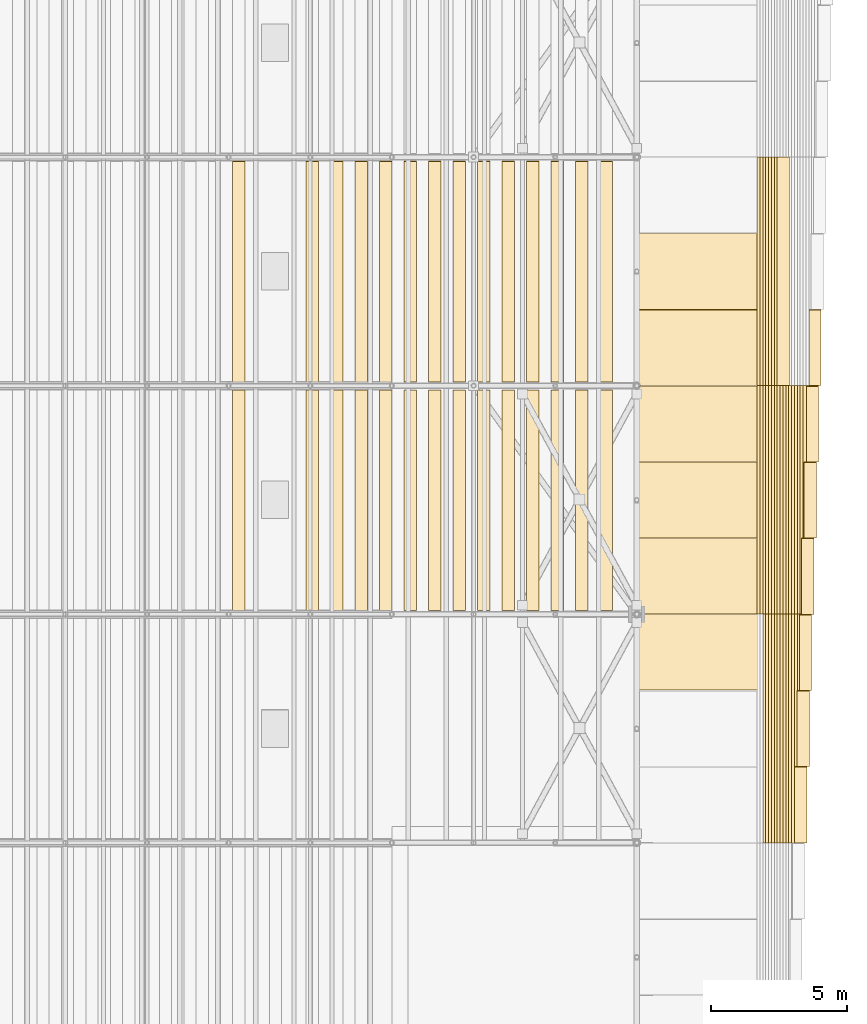
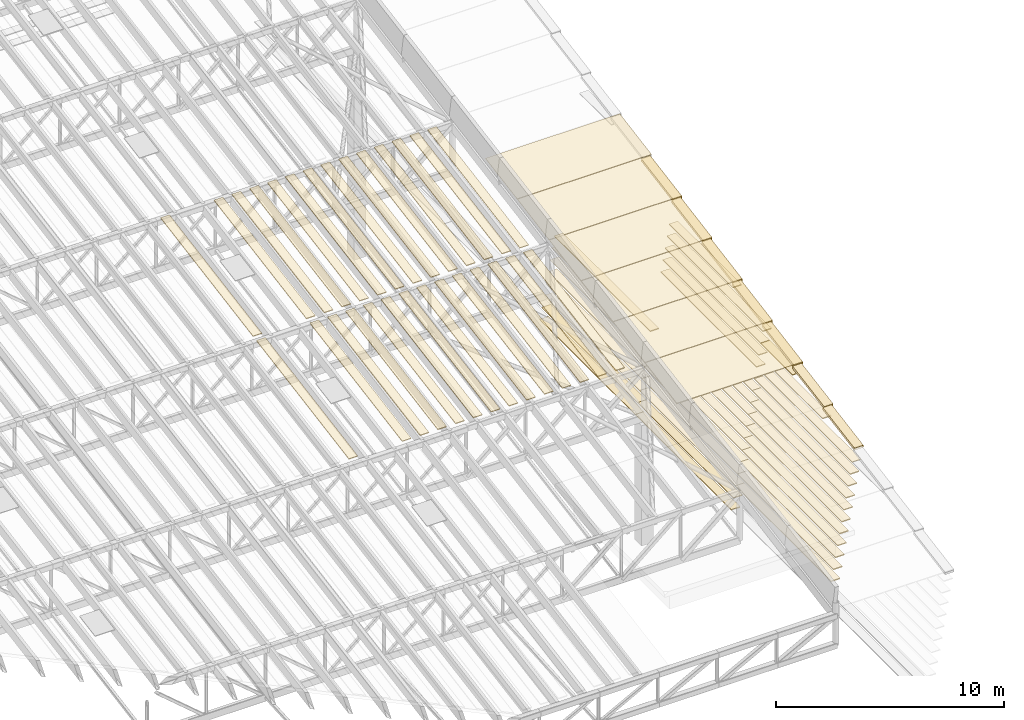
# One storey, part 88 of 91: 79 coverings.
"""IFC4 building model written with IfcOpenShell, lengths in metres."""

from ifc_helpers import new_model, si_unit, direction, frame, origin, origin_2d, place, context, subcontext, project, spatial, polyline, rectangle, outline, extrude, material, layer, layer_set, material_profile, profile_set, type_object, element, save


model = new_model("IFC4")

# Units and contexts
model_context = context("Model", 3, precision=1e-05, world=origin(), true_north=direction((0.0, 1.0)))
body_context = subcontext(model_context, "Body", "Model", "MODEL_VIEW")
ifc_project = project(units=[si_unit("LENGTHUNIT", "METRE"), si_unit("AREAUNIT", "SQUARE_METRE"), si_unit("VOLUMEUNIT", "CUBIC_METRE"), si_unit("PLANEANGLEUNIT", "RADIAN"), si_unit("MASSUNIT", "GRAM", prefix="KILO")], contexts=[model_context])

# Site, building, storey
site_placement = place(None, origin())
site = spatial("IfcSite", under=ifc_project, at=site_placement, CompositionType="ELEMENT")
building_placement = place(site_placement, origin())
building = spatial("IfcBuilding", under=site, at=building_placement, Name="Almond Square Museum", CompositionType="ELEMENT")
storey_placement = place(building_placement, frame((0.0, 0.0, 30.0)))
storey = spatial("IfcBuildingStorey", under=building, at=storey_placement, Name="L05", CompositionType="ELEMENT", Elevation=30.0)

# Coverings
ifc_material_1 = material(Name="Cedar timber roof board", Category="wood")
ifc_layer_1 = layer(ifc_material_1, 0.0400390625)
ifc_layer_set_1 = layer_set([ifc_layer_1], Name="Cedar timber roof board")
covering_type_1 = type_object("IfcCoveringType", Name="Hall roof board 450 x 40", PredefinedType="CLADDING", material=ifc_layer_set_1)
covering_1_placement = place(storey_placement, frame((134.39990234375, 75.449951171875, 10.8837890625), z_axis=(0.0, -0.17238105195, 0.985030341121), x_axis=(-1.0, 0.0, 0.0)))
element("IfcCovering", 1, at=covering_1_placement, inside=storey, type_object=covering_type_1, Name="Hall roof board", PredefinedType="CLADDING", context=body_context, shape_type="SweptSolid", body=[
    extrude(outline(polyline([(0.0, 0.0), (0.449951171875, 0.0), (0.449951171875, 8.22294824584652), (0.0, 8.22294824584652), (0.0, 0.0)])), origin(), (0.0, 0.0, 1.0), 0.0400390625),
])
covering_2_placement = place(storey_placement, frame((137.10009765625, 75.449951171875, 10.8837890625), z_axis=(0.0, -0.17238105195, 0.985030341121), x_axis=(-1.0, 0.0, 0.0)))
element("IfcCovering", 2, at=covering_2_placement, inside=storey, type_object=covering_type_1, Name="Hall roof board", PredefinedType="CLADDING", context=body_context, shape_type="SweptSolid", body=[
    extrude(outline(polyline([(0.0, 0.0), (0.4501953125, 0.0), (0.4501953125, 8.222948245846522), (0.0, 8.222948245846522), (0.0, 0.0)])), origin(), (0.0, 0.0, 1.0), 0.0400390625),
])
for number, where, z_axis, x_axis, name in (
    (3, (138.0, 75.449951171875, 10.8837890625), (0.0, -0.17238105195, 0.985030341121), (-1.0, 0.0, 0.0), "Hall roof board"),
    (4, (138.89990234375, 75.449951171875, 10.8837890625), (0.0, -0.17238105195, 0.985030341121), (-1.0, 0.0, 0.0), "Hall roof board"),
    (5, (139.800048828125, 75.449951171875, 10.8837890625), (0.0, -0.17238105195, 0.985030341121), (-1.0, 0.0, 0.0), "Hall roof board"),
    (6, (140.699951171875, 75.449951171875, 10.8837890625), (0.0, -0.17238105195, 0.985030341121), (-1.0, 0.0, 0.0), "Hall roof board"),
):
    element("IfcCovering", number, at=place(storey_placement, frame(where, z_axis=z_axis, x_axis=x_axis)), inside=storey, type_object=covering_type_1, Name=name, PredefinedType="CLADDING", context=body_context, shape_type="SweptSolid", body=[
        extrude(outline(polyline([(0.0, 0.0), (0.449951171875, 0.0), (0.449951171875, 8.22294824584652), (0.0, 8.22294824584652), (0.0, 0.0)])), origin(), (0.0, 0.0, 1.0), 0.0400390625),
    ])
covering_3_placement = place(storey_placement, frame((141.60009765625, 75.449951171875, 10.8837890625), z_axis=(0.0, -0.17238105195, 0.985030341121), x_axis=(-1.0, 0.0, 0.0)))
element("IfcCovering", 7, at=covering_3_placement, inside=storey, type_object=covering_type_1, Name="Hall roof board", PredefinedType="CLADDING", context=body_context, shape_type="SweptSolid", body=[
    extrude(outline(polyline([(0.0, 0.0), (0.4501953125, 0.0), (0.4501953125, 8.222948245846522), (0.0, 8.222948245846522), (0.0, 0.0)])), origin(), (0.0, 0.0, 1.0), 0.0400390625),
])
for number, where, z_axis, x_axis, name in (
    (8, (142.5, 75.449951171875, 10.8837890625), (0.0, -0.17238105195, 0.985030341121), (-1.0, 0.0, 0.0), "Hall roof board"),
    (9, (143.39990234375, 75.449951171875, 10.8837890625), (0.0, -0.17238105195, 0.985030341121), (-1.0, 0.0, 0.0), "Hall roof board"),
    (10, (144.300048828125, 75.449951171875, 10.8837890625), (0.0, -0.17238105195, 0.985030341121), (-1.0, 0.0, 0.0), "Hall roof board"),
    (11, (145.199951171875, 75.449951171875, 10.8837890625), (0.0, -0.17238105195, 0.985030341121), (-1.0, 0.0, 0.0), "Hall roof board"),
):
    element("IfcCovering", number, at=place(storey_placement, frame(where, z_axis=z_axis, x_axis=x_axis)), inside=storey, type_object=covering_type_1, Name=name, PredefinedType="CLADDING", context=body_context, shape_type="SweptSolid", body=[
        extrude(outline(polyline([(0.0, 0.0), (0.449951171875, 0.0), (0.449951171875, 8.22294824584652), (0.0, 8.22294824584652), (0.0, 0.0)])), origin(), (0.0, 0.0, 1.0), 0.0400390625),
    ])
covering_4_placement = place(storey_placement, frame((146.10009765625, 75.449951171875, 10.8837890625), z_axis=(0.0, -0.17238105195, 0.985030341121), x_axis=(-1.0, 0.0, 0.0)))
element("IfcCovering", 12, at=covering_4_placement, inside=storey, type_object=covering_type_1, Name="Hall roof board", PredefinedType="CLADDING", context=body_context, shape_type="SweptSolid", body=[
    extrude(outline(polyline([(0.0, 0.0), (0.4501953125, 0.0), (0.4501953125, 8.222948245846522), (0.0, 8.222948245846522), (0.0, 0.0)])), origin(), (0.0, 0.0, 1.0), 0.0400390625),
])
for number, where, z_axis, x_axis, name in (
    (13, (147.0, 75.449951171875, 10.8837890625), (0.0, -0.17238105195, 0.985030341121), (-1.0, 0.0, 0.0), "Hall roof board"),
    (14, (147.89990234375, 75.449951171875, 10.8837890625), (0.0, -0.17238105195, 0.985030341121), (-1.0, 0.0, 0.0), "Hall roof board"),
):
    element("IfcCovering", number, at=place(storey_placement, frame(where, z_axis=z_axis, x_axis=x_axis)), inside=storey, type_object=covering_type_1, Name=name, PredefinedType="CLADDING", context=body_context, shape_type="SweptSolid", body=[
        extrude(outline(polyline([(0.0, 0.0), (0.449951171875, 0.0), (0.449951171875, 8.22294824584652), (0.0, 8.22294824584652), (0.0, 0.0)])), origin(), (0.0, 0.0, 1.0), 0.0400390625),
    ])
covering_5_placement = place(storey_placement, frame((134.39990234375, 83.85009765625, 12.353759765625), z_axis=(0.0, -0.17237601069, 0.985031223332), x_axis=(-1.0, 0.0, 0.0)))
element("IfcCovering", 15, at=covering_5_placement, inside=storey, type_object=covering_type_1, Name="Hall roof board", PredefinedType="CLADDING", context=body_context, shape_type="SweptSolid", body=[
    extrude(outline(polyline([(0.0, 0.0), (0.449951171875, 0.0), (0.449951171875, 8.223188731877341), (0.0, 8.223188731877341), (0.0, 0.0)])), origin(), (0.0, 0.0, 1.0), 0.0400390625),
])
covering_6_placement = place(storey_placement, frame((137.10009765625, 83.85009765625, 12.353759765625), z_axis=(0.0, -0.17237601069, 0.985031223332), x_axis=(-1.0, 0.0, 0.0)))
element("IfcCovering", 16, at=covering_6_placement, inside=storey, type_object=covering_type_1, Name="Hall roof board", PredefinedType="CLADDING", context=body_context, shape_type="SweptSolid", body=[
    extrude(outline(polyline([(0.0, 0.0), (0.4501953125, 0.0), (0.4501953125, 8.223188731877341), (0.0, 8.223188731877341), (0.0, 0.0)])), origin(), (0.0, 0.0, 1.0), 0.0400390625),
])
for number, where, z_axis, x_axis, name in (
    (17, (138.0, 83.85009765625, 12.353759765625), (0.0, -0.17237601069, 0.985031223332), (-1.0, 0.0, 0.0), "Hall roof board"),
    (18, (138.89990234375, 83.85009765625, 12.353759765625), (0.0, -0.17237601069, 0.985031223332), (-1.0, 0.0, 0.0), "Hall roof board"),
    (19, (139.800048828125, 83.85009765625, 12.353759765625), (0.0, -0.17237601069, 0.985031223332), (-1.0, 0.0, 0.0), "Hall roof board"),
    (20, (140.699951171875, 83.85009765625, 12.353759765625), (0.0, -0.17237601069, 0.985031223332), (-1.0, 0.0, 0.0), "Hall roof board"),
):
    element("IfcCovering", number, at=place(storey_placement, frame(where, z_axis=z_axis, x_axis=x_axis)), inside=storey, type_object=covering_type_1, Name=name, PredefinedType="CLADDING", context=body_context, shape_type="SweptSolid", body=[
        extrude(outline(polyline([(0.0, 0.0), (0.449951171875, 0.0), (0.449951171875, 8.223188731877341), (0.0, 8.223188731877341), (0.0, 0.0)])), origin(), (0.0, 0.0, 1.0), 0.0400390625),
    ])
covering_7_placement = place(storey_placement, frame((141.60009765625, 83.85009765625, 12.353759765625), z_axis=(0.0, -0.17237601069, 0.985031223332), x_axis=(-1.0, 0.0, 0.0)))
element("IfcCovering", 21, at=covering_7_placement, inside=storey, type_object=covering_type_1, Name="Hall roof board", PredefinedType="CLADDING", context=body_context, shape_type="SweptSolid", body=[
    extrude(outline(polyline([(0.0, 0.0), (0.4501953125, 0.0), (0.4501953125, 8.223188731877341), (0.0, 8.223188731877341), (0.0, 0.0)])), origin(), (0.0, 0.0, 1.0), 0.0400390625),
])
for number, where, z_axis, x_axis, name in (
    (22, (142.5, 83.85009765625, 12.353759765625), (0.0, -0.17237601069, 0.985031223332), (-1.0, 0.0, 0.0), "Hall roof board"),
    (23, (143.39990234375, 83.85009765625, 12.353759765625), (0.0, -0.17237601069, 0.985031223332), (-1.0, 0.0, 0.0), "Hall roof board"),
    (24, (144.300048828125, 83.85009765625, 12.353759765625), (0.0, -0.17237601069, 0.985031223332), (-1.0, 0.0, 0.0), "Hall roof board"),
    (25, (145.199951171875, 83.85009765625, 12.353759765625), (0.0, -0.17237601069, 0.985031223332), (-1.0, 0.0, 0.0), "Hall roof board"),
):
    element("IfcCovering", number, at=place(storey_placement, frame(where, z_axis=z_axis, x_axis=x_axis)), inside=storey, type_object=covering_type_1, Name=name, PredefinedType="CLADDING", context=body_context, shape_type="SweptSolid", body=[
        extrude(outline(polyline([(0.0, 0.0), (0.449951171875, 0.0), (0.449951171875, 8.223188731877341), (0.0, 8.223188731877341), (0.0, 0.0)])), origin(), (0.0, 0.0, 1.0), 0.0400390625),
    ])
covering_8_placement = place(storey_placement, frame((146.10009765625, 83.85009765625, 12.353759765625), z_axis=(0.0, -0.17237601069, 0.985031223332), x_axis=(-1.0, 0.0, 0.0)))
element("IfcCovering", 26, at=covering_8_placement, inside=storey, type_object=covering_type_1, Name="Hall roof board", PredefinedType="CLADDING", context=body_context, shape_type="SweptSolid", body=[
    extrude(outline(polyline([(0.0, 0.0), (0.4501953125, 0.0), (0.4501953125, 8.223188731877341), (0.0, 8.223188731877341), (0.0, 0.0)])), origin(), (0.0, 0.0, 1.0), 0.0400390625),
])
for number, where, z_axis, x_axis, name in (
    (27, (147.0, 83.85009765625, 12.353759765625), (0.0, -0.17237601069, 0.985031223332), (-1.0, 0.0, 0.0), "Hall roof board"),
    (28, (147.89990234375, 83.85009765625, 12.353759765625), (0.0, -0.17237601069, 0.985031223332), (-1.0, 0.0, 0.0), "Hall roof board"),
):
    element("IfcCovering", number, at=place(storey_placement, frame(where, z_axis=z_axis, x_axis=x_axis)), inside=storey, type_object=covering_type_1, Name=name, PredefinedType="CLADDING", context=body_context, shape_type="SweptSolid", body=[
        extrude(outline(polyline([(0.0, 0.0), (0.449951171875, 0.0), (0.449951171875, 8.223188731877341), (0.0, 8.223188731877341), (0.0, 0.0)])), origin(), (0.0, 0.0, 1.0), 0.0400390625),
    ])
ifc_material_2 = material(Name="Cedar timber louvre board", Category="wood")
ifc_material_profile_1 = material_profile(ifc_material_2, rectangle(XDim=0.449951171875, YDim=0.050048828125, at=origin_2d()))
ifc_profile_set_1 = profile_set([ifc_material_profile_1], Name="Cedar timber louvre board")
covering_type_2 = type_object("IfcCoveringType", Name="Louvre board 450 x 50", PredefinedType="CLADDING", material=ifc_profile_set_1)
covering_9_placement = place(storey_placement, frame((153.444091796875, 67.199951171875, 0.10009765625), z_axis=(0.0, 1.0, 0.0), x_axis=(-1.0, 0.0, 0.0)))
element("IfcCovering", 29, at=covering_9_placement, inside=storey, type_object=covering_type_2, Name="Louvre board E13.03", PredefinedType="CLADDING", context=body_context, shape_type="SweptSolid", body=[
    extrude(rectangle(XDim=0.449951171875, YDim=0.050048828125, at=origin_2d()), origin(), (0.0, 0.0, 1.0), 8.400146484375),
])
covering_10_placement = place(storey_placement, frame((153.444091796875, 75.60009765625, 0.10009765625), z_axis=(0.0, 1.0, 0.0), x_axis=(-1.0, 0.0, 0.0)))
element("IfcCovering", 30, at=covering_10_placement, inside=storey, type_object=covering_type_2, Name="Louvre board E13.04", PredefinedType="CLADDING", context=body_context, shape_type="SweptSolid", body=[
    extrude(rectangle(XDim=0.449951171875, YDim=0.050048828125, at=origin_2d()), origin(), (0.0, 0.0, 1.0), 8.39990234375),
])
covering_11_placement = place(storey_placement, frame((153.5498046875, 67.199951171875, 0.699951171875), z_axis=(0.0, 1.0, 0.0), x_axis=(-1.0, 0.0, 0.0)))
element("IfcCovering", 31, at=covering_11_placement, inside=storey, type_object=covering_type_2, Name="Louvre board E14.03", PredefinedType="CLADDING", context=body_context, shape_type="SweptSolid", body=[
    extrude(rectangle(XDim=0.449951171875, YDim=0.050048828125, at=origin_2d()), origin(), (0.0, 0.0, 1.0), 8.400146484375),
])
for number, where, z_axis, x_axis, name in (
    (32, (153.5498046875, 75.60009765625, 0.699951171875), (0.0, 1.0, 0.0), (-1.0, 0.0, 0.0), "Louvre board E14.04"),
    (33, (153.65576171875, 58.800048828125, 1.300048828125), (0.0, 1.0, 0.0), (-1.0, 0.0, 0.0), "Louvre board E15.02"),
):
    element("IfcCovering", number, at=place(storey_placement, frame(where, z_axis=z_axis, x_axis=x_axis)), inside=storey, type_object=covering_type_2, Name=name, PredefinedType="CLADDING", context=body_context, shape_type="SweptSolid", body=[
        extrude(rectangle(XDim=0.449951171875, YDim=0.050048828125, at=origin_2d()), origin(), (0.0, 0.0, 1.0), 8.39990234375),
    ])
covering_12_placement = place(storey_placement, frame((153.65576171875, 67.199951171875, 1.300048828125), z_axis=(0.0, 1.0, 0.0), x_axis=(-1.0, 0.0, 0.0)))
element("IfcCovering", 34, at=covering_12_placement, inside=storey, type_object=covering_type_2, Name="Louvre board E15.03", PredefinedType="CLADDING", context=body_context, shape_type="SweptSolid", body=[
    extrude(rectangle(XDim=0.449951171875, YDim=0.050048828125, at=origin_2d()), origin(), (0.0, 0.0, 1.0), 8.400146484375),
])
for number, where, z_axis, x_axis, name in (
    (35, (153.65576171875, 75.60009765625, 1.300048828125), (0.0, 1.0, 0.0), (-1.0, 0.0, 0.0), "Louvre board E15.04"),
    (36, (153.761474609375, 58.800048828125, 1.89990234375), (0.0, 1.0, 0.0), (-1.0, 0.0, 0.0), "Louvre board E16.02"),
):
    element("IfcCovering", number, at=place(storey_placement, frame(where, z_axis=z_axis, x_axis=x_axis)), inside=storey, type_object=covering_type_2, Name=name, PredefinedType="CLADDING", context=body_context, shape_type="SweptSolid", body=[
        extrude(rectangle(XDim=0.449951171875, YDim=0.050048828125, at=origin_2d()), origin(), (0.0, 0.0, 1.0), 8.39990234375),
    ])
covering_13_placement = place(storey_placement, frame((153.761474609375, 67.199951171875, 1.89990234375), z_axis=(0.0, 1.0, 0.0), x_axis=(-1.0, 0.0, 0.0)))
element("IfcCovering", 37, at=covering_13_placement, inside=storey, type_object=covering_type_2, Name="Louvre board E16.03", PredefinedType="CLADDING", context=body_context, shape_type="SweptSolid", body=[
    extrude(rectangle(XDim=0.449951171875, YDim=0.050048828125, at=origin_2d()), origin(), (0.0, 0.0, 1.0), 8.400146484375),
])
for number, where, z_axis, x_axis, name in (
    (38, (153.761474609375, 75.60009765625, 1.89990234375), (0.0, 1.0, 0.0), (-1.0, 0.0, 0.0), "Louvre board E16.04"),
    (39, (153.8671875, 58.800048828125, 2.5), (0.0, 1.0, 0.0), (-1.0, 0.0, 0.0), "Louvre board E17.02"),
):
    element("IfcCovering", number, at=place(storey_placement, frame(where, z_axis=z_axis, x_axis=x_axis)), inside=storey, type_object=covering_type_2, Name=name, PredefinedType="CLADDING", context=body_context, shape_type="SweptSolid", body=[
        extrude(rectangle(XDim=0.449951171875, YDim=0.050048828125, at=origin_2d()), origin(), (0.0, 0.0, 1.0), 8.39990234375),
    ])
covering_14_placement = place(storey_placement, frame((153.8671875, 67.199951171875, 2.5), z_axis=(0.0, 1.0, 0.0), x_axis=(-1.0, 0.0, 0.0)))
element("IfcCovering", 40, at=covering_14_placement, inside=storey, type_object=covering_type_2, Name="Louvre board E17.03", PredefinedType="CLADDING", context=body_context, shape_type="SweptSolid", body=[
    extrude(rectangle(XDim=0.449951171875, YDim=0.050048828125, at=origin_2d()), origin(), (0.0, 0.0, 1.0), 8.400146484375),
])
for number, where, z_axis, x_axis, name in (
    (41, (153.8671875, 75.60009765625, 2.5), (0.0, 1.0, 0.0), (-1.0, 0.0, 0.0), "Louvre board E17.04"),
    (42, (153.97314453125, 58.800048828125, 3.10009765625), (0.0, 1.0, 0.0), (-1.0, 0.0, 0.0), "Louvre board E18.02"),
):
    element("IfcCovering", number, at=place(storey_placement, frame(where, z_axis=z_axis, x_axis=x_axis)), inside=storey, type_object=covering_type_2, Name=name, PredefinedType="CLADDING", context=body_context, shape_type="SweptSolid", body=[
        extrude(rectangle(XDim=0.449951171875, YDim=0.050048828125, at=origin_2d()), origin(), (0.0, 0.0, 1.0), 8.39990234375),
    ])
covering_15_placement = place(storey_placement, frame((153.97314453125, 67.199951171875, 3.10009765625), z_axis=(0.0, 1.0, 0.0), x_axis=(-1.0, 0.0, 0.0)))
element("IfcCovering", 43, at=covering_15_placement, inside=storey, type_object=covering_type_2, Name="Louvre board E18.03", PredefinedType="CLADDING", context=body_context, shape_type="SweptSolid", body=[
    extrude(rectangle(XDim=0.449951171875, YDim=0.050048828125, at=origin_2d()), origin(), (0.0, 0.0, 1.0), 8.400146484375),
])
for number, where, z_axis, x_axis, name in (
    (44, (153.97314453125, 75.60009765625, 3.10009765625), (0.0, 1.0, 0.0), (-1.0, 0.0, 0.0), "Louvre board E18.04"),
    (45, (154.078857421875, 58.800048828125, 3.699951171875), (0.0, 1.0, 0.0), (-1.0, 0.0, 0.0), "Louvre board E19.02"),
):
    element("IfcCovering", number, at=place(storey_placement, frame(where, z_axis=z_axis, x_axis=x_axis)), inside=storey, type_object=covering_type_2, Name=name, PredefinedType="CLADDING", context=body_context, shape_type="SweptSolid", body=[
        extrude(rectangle(XDim=0.449951171875, YDim=0.050048828125, at=origin_2d()), origin(), (0.0, 0.0, 1.0), 8.39990234375),
    ])
covering_16_placement = place(storey_placement, frame((154.078857421875, 67.199951171875, 3.699951171875), z_axis=(0.0, 1.0, 0.0), x_axis=(-1.0, 0.0, 0.0)))
element("IfcCovering", 46, at=covering_16_placement, inside=storey, type_object=covering_type_2, Name="Louvre board E19.03", PredefinedType="CLADDING", context=body_context, shape_type="SweptSolid", body=[
    extrude(rectangle(XDim=0.449951171875, YDim=0.050048828125, at=origin_2d()), origin(), (0.0, 0.0, 1.0), 8.400146484375),
])
for number, where, z_axis, x_axis, name in (
    (47, (154.078857421875, 75.60009765625, 3.699951171875), (0.0, 1.0, 0.0), (-1.0, 0.0, 0.0), "Louvre board E19.04"),
    (48, (154.1845703125, 58.800048828125, 4.300048828125), (0.0, 1.0, 0.0), (-1.0, 0.0, 0.0), "Louvre board E20.02"),
):
    element("IfcCovering", number, at=place(storey_placement, frame(where, z_axis=z_axis, x_axis=x_axis)), inside=storey, type_object=covering_type_2, Name=name, PredefinedType="CLADDING", context=body_context, shape_type="SweptSolid", body=[
        extrude(rectangle(XDim=0.449951171875, YDim=0.050048828125, at=origin_2d()), origin(), (0.0, 0.0, 1.0), 8.39990234375),
    ])
covering_17_placement = place(storey_placement, frame((154.1845703125, 67.199951171875, 4.300048828125), z_axis=(0.0, 1.0, 0.0), x_axis=(-1.0, 0.0, 0.0)))
element("IfcCovering", 49, at=covering_17_placement, inside=storey, type_object=covering_type_2, Name="Louvre board E20.03", PredefinedType="CLADDING", context=body_context, shape_type="SweptSolid", body=[
    extrude(rectangle(XDim=0.449951171875, YDim=0.050048828125, at=origin_2d()), origin(), (0.0, 0.0, 1.0), 8.400146484375),
])
for number, where, z_axis, x_axis, name in (
    (50, (154.1845703125, 75.60009765625, 4.300048828125), (0.0, 1.0, 0.0), (-1.0, 0.0, 0.0), "Louvre board E20.04"),
    (51, (154.29052734375, 58.800048828125, 4.89990234375), (0.0, 1.0, 0.0), (-1.0, 0.0, 0.0), "Louvre board E21.02"),
):
    element("IfcCovering", number, at=place(storey_placement, frame(where, z_axis=z_axis, x_axis=x_axis)), inside=storey, type_object=covering_type_2, Name=name, PredefinedType="CLADDING", context=body_context, shape_type="SweptSolid", body=[
        extrude(rectangle(XDim=0.449951171875, YDim=0.050048828125, at=origin_2d()), origin(), (0.0, 0.0, 1.0), 8.39990234375),
    ])
covering_18_placement = place(storey_placement, frame((154.29052734375, 67.199951171875, 4.89990234375), z_axis=(0.0, 1.0, 0.0), x_axis=(-1.0, 0.0, 0.0)))
element("IfcCovering", 52, at=covering_18_placement, inside=storey, type_object=covering_type_2, Name="Louvre board E21.03", PredefinedType="CLADDING", context=body_context, shape_type="SweptSolid", body=[
    extrude(rectangle(XDim=0.449951171875, YDim=0.050048828125, at=origin_2d()), origin(), (0.0, 0.0, 1.0), 8.400146484375),
])
covering_19_placement = place(storey_placement, frame((154.396240234375, 58.800048828125, 5.5), z_axis=(0.0, 1.0, 0.0), x_axis=(-1.0, 0.0, 0.0)))
element("IfcCovering", 53, at=covering_19_placement, inside=storey, type_object=covering_type_2, Name="Louvre board E22.02", PredefinedType="CLADDING", context=body_context, shape_type="SweptSolid", body=[
    extrude(rectangle(XDim=0.449951171875, YDim=0.050048828125, at=origin_2d()), origin(), (0.0, 0.0, 1.0), 8.39990234375),
])
covering_20_placement = place(storey_placement, frame((154.396240234375, 67.199951171875, 5.5), z_axis=(0.0, 1.0, 0.0), x_axis=(-1.0, 0.0, 0.0)))
element("IfcCovering", 54, at=covering_20_placement, inside=storey, type_object=covering_type_2, Name="Louvre board E22.03", PredefinedType="CLADDING", context=body_context, shape_type="SweptSolid", body=[
    extrude(rectangle(XDim=0.449951171875, YDim=0.050048828125, at=origin_2d()), origin(), (0.0, 0.0, 1.0), 8.400146484375),
])
covering_21_placement = place(storey_placement, frame((154.501953125, 58.800048828125, 6.10009765625), z_axis=(0.0, 1.0, 0.0), x_axis=(-1.0, 0.0, 0.0)))
element("IfcCovering", 55, at=covering_21_placement, inside=storey, type_object=covering_type_2, Name="Louvre board E23.02", PredefinedType="CLADDING", context=body_context, shape_type="SweptSolid", body=[
    extrude(rectangle(XDim=0.449951171875, YDim=0.050048828125, at=origin_2d()), origin(), (0.0, 0.0, 1.0), 8.39990234375),
])
covering_22_placement = place(storey_placement, frame((154.501953125, 67.199951171875, 6.10009765625), z_axis=(0.0, 1.0, 0.0), x_axis=(-1.0, 0.0, 0.0)))
element("IfcCovering", 56, at=covering_22_placement, inside=storey, type_object=covering_type_2, Name="Louvre board E23.03", PredefinedType="CLADDING", context=body_context, shape_type="SweptSolid", body=[
    extrude(rectangle(XDim=0.449951171875, YDim=0.050048828125, at=origin_2d()), origin(), (0.0, 0.0, 1.0), 8.400146484375),
])
covering_23_placement = place(storey_placement, frame((154.60791015625, 58.800048828125, 6.699951171875), z_axis=(0.0, 1.0, 0.0), x_axis=(-1.0, 0.0, 0.0)))
element("IfcCovering", 57, at=covering_23_placement, inside=storey, type_object=covering_type_2, Name="Louvre board E24.02", PredefinedType="CLADDING", context=body_context, shape_type="SweptSolid", body=[
    extrude(rectangle(XDim=0.449951171875, YDim=0.050048828125, at=origin_2d()), origin(), (0.0, 0.0, 1.0), 8.39990234375),
])
covering_24_placement = place(storey_placement, frame((154.60791015625, 67.199951171875, 6.699951171875), z_axis=(0.0, 1.0, 0.0), x_axis=(-1.0, 0.0, 0.0)))
element("IfcCovering", 58, at=covering_24_placement, inside=storey, type_object=covering_type_2, Name="Louvre board E24.03", PredefinedType="CLADDING", context=body_context, shape_type="SweptSolid", body=[
    extrude(rectangle(XDim=0.449951171875, YDim=0.050048828125, at=origin_2d()), origin(), (0.0, 0.0, 1.0), 8.400146484375),
])
covering_25_placement = place(storey_placement, frame((154.713623046875, 58.800048828125, 7.300048828125), z_axis=(0.0, 1.0, 0.0), x_axis=(-1.0, 0.0, 0.0)))
element("IfcCovering", 59, at=covering_25_placement, inside=storey, type_object=covering_type_2, Name="Louvre board E25.02", PredefinedType="CLADDING", context=body_context, shape_type="SweptSolid", body=[
    extrude(rectangle(XDim=0.449951171875, YDim=0.050048828125, at=origin_2d()), origin(), (0.0, 0.0, 1.0), 8.39990234375),
])
covering_26_placement = place(storey_placement, frame((154.713623046875, 67.199951171875, 7.300048828125), z_axis=(0.0, 1.0, 0.0), x_axis=(-1.0, 0.0, 0.0)))
element("IfcCovering", 60, at=covering_26_placement, inside=storey, type_object=covering_type_2, Name="Louvre board E25.03", PredefinedType="CLADDING", context=body_context, shape_type="SweptSolid", body=[
    extrude(rectangle(XDim=0.449951171875, YDim=0.050048828125, at=origin_2d()), origin(), (0.0, 0.0, 1.0), 8.400146484375),
])
covering_27_placement = place(storey_placement, frame((154.8193359375, 61.60009765625, 7.89990234375), z_axis=(0.0, 1.0, 0.0), x_axis=(-1.0, 0.0, 0.0)))
element("IfcCovering", 61, at=covering_27_placement, inside=storey, type_object=covering_type_2, Name="Louvre board E26.01", PredefinedType="CLADDING", context=body_context, shape_type="SweptSolid", body=[
    extrude(rectangle(XDim=0.449951171875, YDim=0.050048828125, at=origin_2d()), origin(), (0.0, 0.0, 1.0), 5.599853515625),
])
covering_28_placement = place(storey_placement, frame((154.8193359375, 67.199951171875, 7.89990234375), z_axis=(0.0, 1.0, 0.0), x_axis=(-1.0, 0.0, 0.0)))
element("IfcCovering", 62, at=covering_28_placement, inside=storey, type_object=covering_type_2, Name="Louvre board E26.02", PredefinedType="CLADDING", context=body_context, shape_type="SweptSolid", body=[
    extrude(rectangle(XDim=0.449951171875, YDim=0.050048828125, at=origin_2d()), origin(), (0.0, 0.0, 1.0), 8.400146484375),
])
covering_29_placement = place(storey_placement, frame((154.92529296875, 64.39990234375, 8.5), z_axis=(0.0, 1.0, 0.0), x_axis=(-1.0, 0.0, 0.0)))
element("IfcCovering", 63, at=covering_29_placement, inside=storey, type_object=covering_type_2, Name="Louvre board E27.01", PredefinedType="CLADDING", context=body_context, shape_type="SweptSolid", body=[
    extrude(rectangle(XDim=0.449951171875, YDim=0.050048828125, at=origin_2d()), origin(), (0.0, 0.0, 1.0), 2.800048828125),
])
for number, where, z_axis, x_axis, name in (
    (64, (154.92529296875, 67.199951171875, 8.5), (0.0, 1.0, 0.0), (-1.0, 0.0, 0.0), "Louvre board E27.02"),
    (65, (155.031005859375, 67.199951171875, 9.10009765625), (0.0, 1.0, 0.0), (-1.0, 0.0, 0.0), "Louvre board E28.01"),
):
    element("IfcCovering", number, at=place(storey_placement, frame(where, z_axis=z_axis, x_axis=x_axis)), inside=storey, type_object=covering_type_2, Name=name, PredefinedType="CLADDING", context=body_context, shape_type="SweptSolid", body=[
        extrude(rectangle(XDim=0.449951171875, YDim=0.050048828125, at=origin_2d()), origin(), (0.0, 0.0, 1.0), 8.400146484375),
    ])
covering_30_placement = place(storey_placement, frame((155.13671875, 70.0, 9.699951171875), z_axis=(0.0, 1.0, 0.0), x_axis=(-1.0, 0.0, 0.0)))
element("IfcCovering", 66, at=covering_30_placement, inside=storey, type_object=covering_type_2, Name="Louvre board E29.01", PredefinedType="CLADDING", context=body_context, shape_type="SweptSolid", body=[
    extrude(rectangle(XDim=0.449951171875, YDim=0.050048828125, at=origin_2d()), origin(), (0.0, 0.0, 1.0), 5.60009765625),
])
ifc_material_3 = material(Name="Cedar timber sheathing panel", Category="wood")
ifc_layer_2 = layer(ifc_material_3, 0.030029296875)
ifc_layer_set_2 = layer_set([ifc_layer_2], Name="Cedar timber sheathing panel")
covering_type_3 = type_object("IfcCoveringType", Name="Louvre rain-screen backing panel 30", PredefinedType="CLADDING", material=ifc_layer_set_2)
covering_31_placement = place(storey_placement, frame((148.85009765625, 64.409912109375, 9.019775390625), z_axis=(0.0, -0.173074759692, 0.984908689959), x_axis=(1.0, 0.0, 0.0)))
element("IfcCovering", 67, at=covering_31_placement, inside=storey, type_object=covering_type_3, Name="Louvre rain-screen backing panel return E06", PredefinedType="CLADDING", context=body_context, shape_type="SweptSolid", body=[
    extrude(outline(polyline([(0.0, 0.0), (6.3759765625, 0.0), (6.3759765625, 2.8226264274197916), (0.0, 2.8226264274197916), (0.0, 0.0)])), frame((0.0, 0.0, -0.01513671875)), (0.0, 0.0, 1.0), 0.030029296875),
])
covering_32_placement = place(storey_placement, frame((148.85009765625, 67.2099609375, 9.509765625), z_axis=(0.0, -0.173074759692, 0.984908689959), x_axis=(1.0, 0.0, 0.0)))
element("IfcCovering", 68, at=covering_32_placement, inside=storey, type_object=covering_type_3, Name="Louvre rain-screen backing panel return E07", PredefinedType="CLADDING", context=body_context, shape_type="SweptSolid", body=[
    extrude(outline(polyline([(0.0, 0.0), (6.46240234375, 0.0), (6.46240234375, 2.822626427419791), (0.0, 2.822626427419791), (0.0, 0.0)])), frame((0.0, 0.0, -0.01513671875)), (0.0, 0.0, 1.0), 0.030029296875),
])
covering_33_placement = place(storey_placement, frame((148.85009765625, 70.010009765625, 9.999755859375), z_axis=(0.0, -0.173074759692, 0.984908689959), x_axis=(1.0, 0.0, 0.0)))
element("IfcCovering", 69, at=covering_33_placement, inside=storey, type_object=covering_type_3, Name="Louvre rain-screen backing panel return E08", PredefinedType="CLADDING", context=body_context, shape_type="SweptSolid", body=[
    extrude(outline(polyline([(0.0, 0.0), (6.548583984375, 0.0), (6.548583984375, 2.822626427419791), (0.0, 2.822626427419791), (0.0, 0.0)])), frame((0.0, 0.0, -0.01513671875)), (0.0, 0.0, 1.0), 0.030029296875),
])
covering_34_placement = place(storey_placement, frame((148.85009765625, 72.81005859375, 10.48974609375), z_axis=(0.0, -0.173074759692, 0.984908689959), x_axis=(1.0, 0.0, 0.0)))
element("IfcCovering", 70, at=covering_34_placement, inside=storey, type_object=covering_type_3, Name="Louvre rain-screen backing panel return E09", PredefinedType="CLADDING", context=body_context, shape_type="SweptSolid", body=[
    extrude(outline(polyline([(0.0, 0.0), (6.635009765625, 0.0), (6.635009765625, 2.822626427419791), (0.0, 2.822626427419791), (0.0, 0.0)])), frame((0.0, 0.0, -0.01513671875)), (0.0, 0.0, 1.0), 0.030029296875),
])
covering_35_placement = place(storey_placement, frame((148.85009765625, 75.610107421875, 10.979736328125), z_axis=(0.0, -0.173089504963, 0.984906098708), x_axis=(1.0, 0.0, 0.0)))
element("IfcCovering", 71, at=covering_35_placement, inside=storey, type_object=covering_type_3, Name="Louvre rain-screen backing panel return E10", PredefinedType="CLADDING", context=body_context, shape_type="SweptSolid", body=[
    extrude(outline(polyline([(0.0, 0.0), (6.721435546875, 0.0), (6.721435546875, 2.8223859715129582), (0.0, 2.8223859715129582), (0.0, 0.0)])), frame((0.0, 0.0, -0.01513671875)), (0.0, 0.0, 1.0), 0.030029296875),
])
covering_36_placement = place(storey_placement, frame((148.85009765625, 78.409912109375, 11.4697265625), z_axis=(0.0, -0.173074759692, 0.984908689959), x_axis=(1.0, 0.0, 0.0)))
element("IfcCovering", 72, at=covering_36_placement, inside=storey, type_object=covering_type_3, Name="Louvre rain-screen backing panel return E11", PredefinedType="CLADDING", context=body_context, shape_type="SweptSolid", body=[
    extrude(outline(polyline([(0.0, 0.0), (6.807861328125, 0.0), (6.807861328125, 2.822626427419791), (0.0, 2.822626427419791), (0.0, 0.0)])), frame((0.0, 0.0, -0.01513671875)), (0.0, 0.0, 1.0), 0.030029296875),
])
ifc_material_4 = material(Name="Cedar timber louvre board", Category="wood")
ifc_material_profile_2 = material_profile(ifc_material_4, rectangle(XDim=0.449951171875, YDim=0.139892578125, at=origin_2d()))
ifc_profile_set_2 = profile_set([ifc_material_profile_2], Name="Cedar timber louvre board")
covering_type_4 = type_object("IfcCoveringType", Name="Louvre skin fascia 450 x 140", PredefinedType="CLADDING", material=ifc_profile_set_2)
covering_37_placement = place(storey_placement, frame((154.828125, 58.81005859375, 7.94970703125), z_axis=(0.0, 0.984908689959, 0.173074759692), x_axis=(-1.0, 0.0, 0.0)))
element("IfcCovering", 73, at=covering_37_placement, inside=storey, type_object=covering_type_4, Name="Louvre skin fascia E04", PredefinedType="CLADDING", context=body_context, shape_type="SweptSolid", body=[
    extrude(rectangle(XDim=0.449951171875, YDim=0.139892578125, at=origin_2d()), origin(), (0.0, 0.0, 1.0), 2.822509765625),
])
covering_38_placement = place(storey_placement, frame((154.91455078125, 61.610107421875, 8.43994140625), z_axis=(0.0, 0.984920841863, 0.17300559316), x_axis=(-1.0, 0.0, 0.0)))
element("IfcCovering", 74, at=covering_38_placement, inside=storey, type_object=covering_type_4, Name="Louvre skin fascia E05", PredefinedType="CLADDING", context=body_context, shape_type="SweptSolid", body=[
    extrude(rectangle(XDim=0.449951171875, YDim=0.139892578125, at=origin_2d()), origin(), (0.0, 0.0, 1.0), 2.822265625),
])
for number, where, z_axis, x_axis, name in (
    (75, (155.0009765625, 64.409912109375, 8.929931640625), (0.0, 0.984923430641, 0.172990854596), (-1.0, 0.0, 0.0), "Louvre skin fascia E06"),
    (76, (155.08740234375, 67.2099609375, 9.419921875), (0.0, 0.984923430641, 0.172990854596), (-1.0, 0.0, 0.0), "Louvre skin fascia E07"),
    (77, (155.173828125, 70.010009765625, 9.909912109375), (0.0, 0.984923430641, 0.172990854596), (-1.0, 0.0, 0.0), "Louvre skin fascia E08"),
    (78, (155.26025390625, 72.81005859375, 10.39990234375), (0.0, 0.984923430641, 0.172990854596), (-1.0, 0.0, 0.0), "Louvre skin fascia E09"),
):
    element("IfcCovering", number, at=place(storey_placement, frame(where, z_axis=z_axis, x_axis=x_axis)), inside=storey, type_object=covering_type_4, Name=name, PredefinedType="CLADDING", context=body_context, shape_type="SweptSolid", body=[
        extrude(rectangle(XDim=0.449951171875, YDim=0.139892578125, at=origin_2d()), origin(), (0.0, 0.0, 1.0), 2.822509765625),
    ])
covering_39_placement = place(storey_placement, frame((155.3466796875, 75.610107421875, 10.889892578125), z_axis=(0.0, 0.984920841863, 0.17300559316), x_axis=(-1.0, 0.0, 0.0)))
element("IfcCovering", 79, at=covering_39_placement, inside=storey, type_object=covering_type_4, Name="Louvre skin fascia E10", PredefinedType="CLADDING", context=body_context, shape_type="SweptSolid", body=[
    extrude(rectangle(XDim=0.449951171875, YDim=0.139892578125, at=origin_2d()), origin(), (0.0, 0.0, 1.0), 2.822265625),
])

save(model, "model.ifc")
